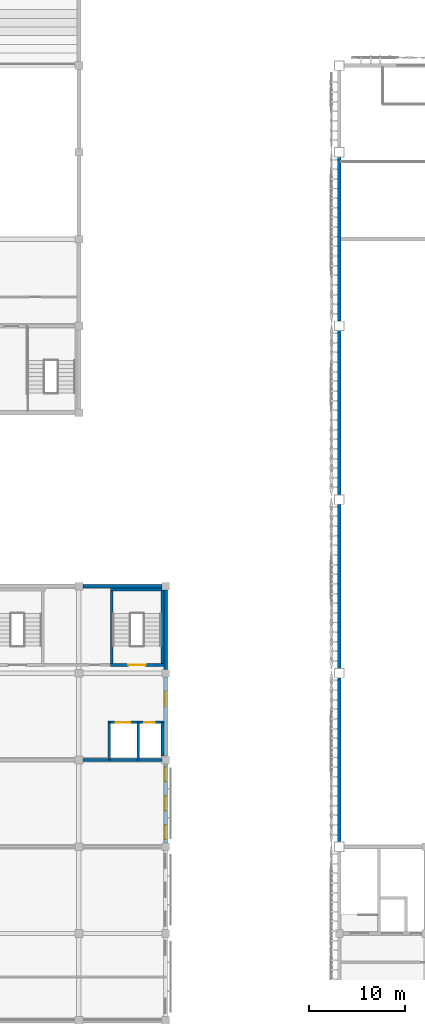
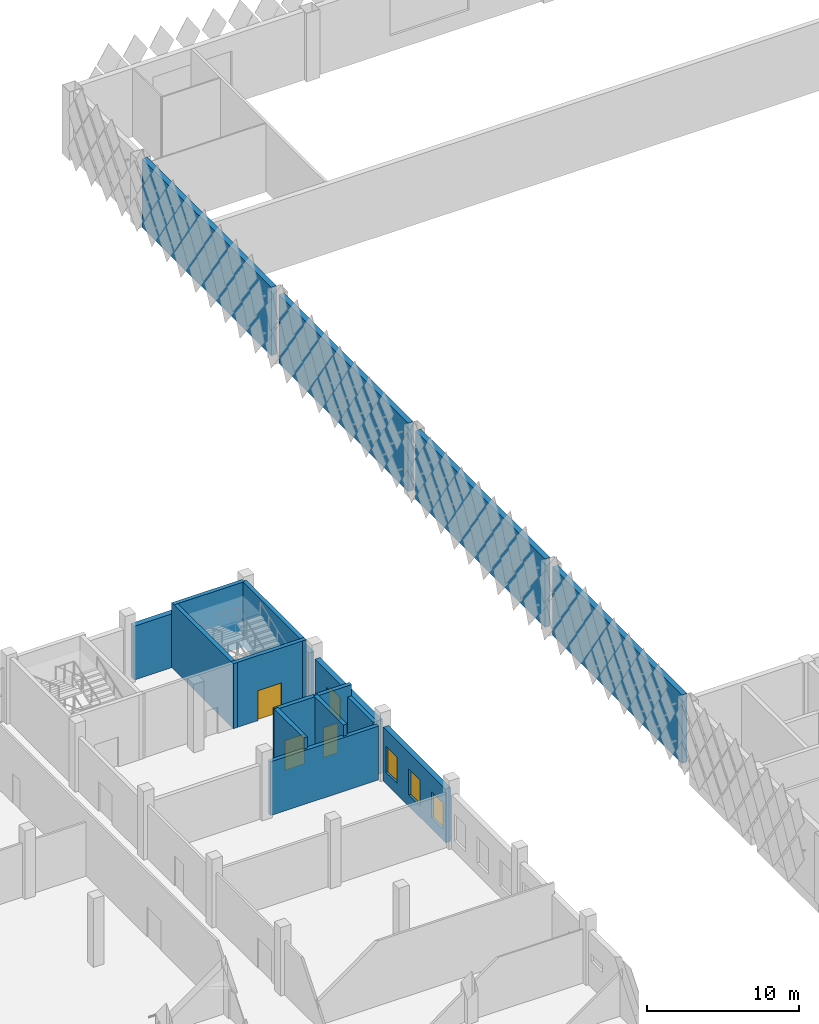
# One storey, part 112 of 185: 17 walls, 4 windows, 3 doors, 7 openings.
"""IFC4 building model written with IfcOpenShell, lengths in metres."""

from ifc_helpers import new_model, si_unit, direction, frame, frame_2d, origin, place, context, subcontext, project, spatial, rectangle, extrude, material, layer, layer_set, type_object, element, fill, save


model = new_model("IFC4")

# Units and contexts
model_context = context("Model", 3, precision=1e-05, world=origin(), true_north=direction((0.0, 1.0)))
body_context = subcontext(model_context, "Body", "Model", "MODEL_VIEW")
ifc_project = project(units=[si_unit("LENGTHUNIT", "METRE"), si_unit("AREAUNIT", "SQUARE_METRE"), si_unit("VOLUMEUNIT", "CUBIC_METRE"), si_unit("PLANEANGLEUNIT", "RADIAN"), si_unit("MASSUNIT", "GRAM", prefix="KILO")], contexts=[model_context])

# Site, building, storey
site_placement = place(None, origin())
site = spatial("IfcSite", under=ifc_project, at=site_placement, CompositionType="ELEMENT")
building_placement = place(site_placement, origin())
building = spatial("IfcBuilding", under=site, at=building_placement, Name="Opaline Strait Convention Centre", CompositionType="ELEMENT")
storey_placement = place(building_placement, frame((0.0, 0.0, 6.0)))
storey = spatial("IfcBuildingStorey", under=building, at=storey_placement, Name="L01", CompositionType="ELEMENT", Elevation=6.0)

# Walls
ifc_material_1 = material(Name="Concrete C40", Category="concrete")
ifc_layer_1 = layer(ifc_material_1, 0.25)
ifc_material_2 = material(Name="Mineral wool insulation")
ifc_layer_2 = layer(ifc_material_2, 0.10009765625)
ifc_material_3 = material(Name="Gypsum board lining")
ifc_layer_3 = layer(ifc_material_3, 0.050048828125)
ifc_layer_set_1 = layer_set([ifc_layer_1, ifc_layer_2, ifc_layer_3], Name="Concrete C40, Mineral wool insulation, Gypsum board lining")
wall_type_1 = type_object("IfcWallType", Name="External wall RC 400 insulated", PredefinedType="SOLIDWALL", material=ifc_layer_set_1)
for number, where, z_axis, x_axis, name in (
    (1, (99.0, 72.5, 0.0), (0.0, 0.0, 1.0), (0.0, 1.0, 0.0), "External wall W3"),
    (2, (99.0, 90.5, 0.0), (0.0, 0.0, 1.0), (0.0, 1.0, 0.0), "External wall W4"),
    (3, (99.0, 108.5, 0.0), (0.0, 0.0, 1.0), (0.0, 1.0, 0.0), "External wall W5"),
    (4, (99.0, 126.5, 0.0), (0.0, 0.0, 1.0), (0.0, 1.0, 0.0), "External wall W6"),
):
    element("IfcWall", number, at=place(storey_placement, frame(where, z_axis=z_axis, x_axis=x_axis)), inside=storey, type_object=wall_type_1, Name=name, PredefinedType="SOLIDWALL", context=body_context, shape_type="SweptSolid", body=[
        extrude(rectangle(XDim=17.0, YDim=0.39990234375, at=frame_2d((8.5, 0.0))), origin(), (0.0, 0.0, 1.0), 5.5),
    ])
ifc_layer_4 = layer(ifc_material_1, 0.300048828125)
ifc_layer_set_2 = layer_set([ifc_layer_4], Name="Concrete C40")
wall_type_2 = type_object("IfcWallType", Name="RC wall 300 C40", PredefinedType="SOLIDWALL", material=ifc_layer_set_2)
wall_1_placement = place(storey_placement, frame((80.60009765625, 98.64990234375, 0.0), z_axis=(0.0, 0.0, 1.0), x_axis=(-1.0, 0.0, 0.0)))
element("IfcWall", 5, at=wall_1_placement, inside=storey, type_object=wall_type_2, Name="NE core STA-S wall", PredefinedType="SOLIDWALL", context=body_context, shape_type="SweptSolid", body=[
    extrude(rectangle(XDim=5.35009765625, YDim=0.300048828125, at=frame_2d((2.675048828125, 0.0))), origin(), (0.0, 0.0, 1.0), 5.219970703125),
])

# Wall, opening, door
wall_2_placement = place(storey_placement, frame((80.800048828125, 90.85009765625, 0.0), z_axis=(0.0, 0.0, 1.0), x_axis=(-1.0, 0.0, 0.0)))
wall_2 = element("IfcWall", 6, at=wall_2_placement, inside=storey, type_object=wall_type_2, Name="NE core STA-N wall", PredefinedType="SOLIDWALL", context=body_context, shape_type="SweptSolid", body=[
    extrude(rectangle(XDim=5.550048828125, YDim=0.300048828125, at=frame_2d((2.77490234375, 0.0))), origin(), (0.0, 0.0, 1.0), 5.219970703125),
])
opening_1_placement = place(wall_2_placement, frame((1.875, 0.0, 0.0)))
opening_1 = element("IfcOpeningElement", 7, at=opening_1_placement, cuts=wall_2, Name="Opening R1-017", PredefinedType="OPENING", context=body_context, shape_type="SweptSolid", body=[
    extrude(rectangle(XDim=1.800048828125, YDim=2.39990234375, at=frame_2d((0.89990234375, 1.199951171875))), frame((0.0, 0.159912109375, 0.0), z_axis=(0.0, -1.0, 0.0), x_axis=(1.0, 0.0, 0.0)), (0.0, 0.0, 1.0), 0.320068359375),
])
ifc_material_4 = material(Name="Timber door leaves in steel frame", Category="steel")
door_type_1 = type_object("IfcDoorType", Name="Stair door 1800x2400 double FD60", OperationType="DOUBLE_DOOR_SINGLE_SWING", PredefinedType="DOOR", material=ifc_material_4)
door_1_placement = place(opening_1_placement, origin())
door_1 = element("IfcDoor", 8, at=door_1_placement, inside=storey, type_object=door_type_1, Name="Stair door NEA R1-017", ObjectType="RD7", OperationType="DOUBLE_DOOR_SINGLE_SWING", OverallHeight=2.39990234375, OverallWidth=1.800048828125, PredefinedType="DOOR", context=body_context, shape_type="SweptSolid", body=[
    extrude(rectangle(XDim=1.800048828125, YDim=2.39990234375, at=frame_2d((0.89990234375, 1.199951171875))), frame((0.0, 0.02490234375, 0.0), z_axis=(0.0, -1.0, 0.0), x_axis=(1.0, 0.0, 0.0)), (0.0, 0.0, 1.0), 0.050048828125),
])
fill(opening_1, door_1)

# Walls
wall_3_placement = place(storey_placement, frame((80.64990234375, 98.60009765625, 0.0), z_axis=(0.0, 0.0, 1.0), x_axis=(0.0, -1.0, 0.0)))
element("IfcWall", 9, at=wall_3_placement, inside=storey, type_object=wall_type_2, Name="NE core STA-W wall", PredefinedType="SOLIDWALL", context=body_context, shape_type="SweptSolid", body=[
    extrude(rectangle(XDim=7.900146484375, YDim=0.300048828125, at=frame_2d((3.9501953125, 0.0))), origin(), (0.0, 0.0, 1.0), 5.219970703125),
])
wall_4_placement = place(storey_placement, frame((75.39990234375, 98.800048828125, 0.0), z_axis=(0.0, 0.0, 1.0), x_axis=(0.0, -1.0, 0.0)))
element("IfcWall", 10, at=wall_4_placement, inside=storey, type_object=wall_type_2, Name="NE core STA-E wall", PredefinedType="SOLIDWALL", context=body_context, shape_type="SweptSolid", body=[
    extrude(rectangle(XDim=8.10009765625, YDim=0.300048828125, at=frame_2d((4.050048828125, 0.0))), origin(), (0.0, 0.0, 1.0), 5.219970703125),
])
wall_5_placement = place(storey_placement, frame((80.60009765625, 81.0, 0.0), z_axis=(0.0, 0.0, 1.0), x_axis=(-1.0, 0.0, 0.0)))
element("IfcWall", 11, at=wall_5_placement, inside=storey, type_object=wall_type_2, Name="NE core BND-N wall", PredefinedType="SOLIDWALL", context=body_context, shape_type="SweptSolid", body=[
    extrude(rectangle(XDim=8.2001953125, YDim=0.300048828125, at=frame_2d((4.10009765625, 0.0))), origin(), (0.0, 0.0, 1.0), 4.320068359375),
])

# Wall, openings, doors
wall_6_placement = place(storey_placement, frame((80.800048828125, 84.89990234375, 0.0), z_axis=(0.0, 0.0, 1.0), x_axis=(-1.0, 0.0, 0.0)))
wall_6 = element("IfcWall", 12, at=wall_6_placement, inside=storey, type_object=wall_type_2, Name="NE core LIFT-S wall", PredefinedType="SOLIDWALL", context=body_context, shape_type="SweptSolid", body=[
    extrude(rectangle(XDim=5.800048828125, YDim=0.300048828125, at=frame_2d((2.89990234375, 0.0))), origin(), (0.0, 0.0, 1.0), 5.219970703125),
])
opening_2_placement = place(wall_6_placement, frame((0.949951171875, 0.0, 0.0)))
opening_2 = element("IfcOpeningElement", 13, at=opening_2_placement, cuts=wall_6, Name="Opening R1-021", PredefinedType="OPENING", context=body_context, shape_type="SweptSolid", body=[
    extrude(rectangle(XDim=1.10009765625, YDim=2.39990234375, at=frame_2d((0.550048828125, 1.199951171875))), frame((0.0, 0.159912109375, 0.0), z_axis=(0.0, -1.0, 0.0), x_axis=(1.0, 0.0, 0.0)), (0.0, 0.0, 1.0), 0.320068359375),
])
opening_3_placement = place(wall_6_placement, frame((3.5, 0.0, 0.0)))
opening_3 = element("IfcOpeningElement", 14, at=opening_3_placement, cuts=wall_6, Name="Opening R1-022", PredefinedType="OPENING", context=body_context, shape_type="SweptSolid", body=[
    extrude(rectangle(XDim=1.5, YDim=2.39990234375, at=frame_2d((0.75, 1.199951171875))), frame((0.0, 0.159912109375, 0.0), z_axis=(0.0, -1.0, 0.0), x_axis=(1.0, 0.0, 0.0)), (0.0, 0.0, 1.0), 0.320068359375),
])
ifc_material_5 = material(Name="Stainless steel 304 door leaves", Category="steel")
door_type_2 = type_object("IfcDoorType", Name="Lift landing door 1100x2400 sliding FD60", OperationType="SLIDING_TO_LEFT", PredefinedType="DOOR", material=ifc_material_5)
door_2_placement = place(opening_2_placement, frame((1.10009765625, 0.0, 0.0), z_axis=(0.0, 0.0, 1.0), x_axis=(-1.0, 0.0, 0.0)))
door_2 = element("IfcDoor", 15, at=door_2_placement, inside=storey, type_object=door_type_2, Name="Lift landing door NEP R1-021", ObjectType="LD1", OperationType="SLIDING_TO_LEFT", OverallHeight=2.39990234375, OverallWidth=1.10009765625, PredefinedType="DOOR", context=body_context, shape_type="SweptSolid", body=[
    extrude(rectangle(XDim=1.10009765625, YDim=2.39990234375, at=frame_2d((0.550048828125, 1.199951171875))), frame((0.0, 0.02490234375, 0.0), z_axis=(0.0, -1.0, 0.0), x_axis=(1.0, 0.0, 0.0)), (0.0, 0.0, 1.0), 0.050048828125),
])
fill(opening_2, door_2)
door_type_3 = type_object("IfcDoorType", Name="Lift landing door 1500x2400 sliding FD60", OperationType="SLIDING_TO_LEFT", PredefinedType="DOOR", material=ifc_material_5)
door_3_placement = place(opening_3_placement, frame((1.5, 0.0, 0.0), z_axis=(0.0, 0.0, 1.0), x_axis=(-1.0, 0.0, 0.0)))
door_3 = element("IfcDoor", 16, at=door_3_placement, inside=storey, type_object=door_type_3, Name="Lift landing door NEG R1-022", ObjectType="LD2", OperationType="SLIDING_TO_LEFT", OverallHeight=2.39990234375, OverallWidth=1.5, PredefinedType="DOOR", context=body_context, shape_type="SweptSolid", body=[
    extrude(rectangle(XDim=1.5, YDim=2.39990234375, at=frame_2d((0.75, 1.199951171875))), frame((0.0, 0.02490234375, 0.0), z_axis=(0.0, -1.0, 0.0), x_axis=(1.0, 0.0, 0.0)), (0.0, 0.0, 1.0), 0.050048828125),
])
fill(opening_3, door_3)

# Walls
for number, where, z_axis, x_axis, name in (
    (17, (78.14990234375, 84.89990234375, 0.0), (0.0, 0.0, 1.0), (0.0, -1.0, 0.0), "NE core LIFT-M wall"),
    (18, (75.14990234375, 84.89990234375, 0.0), (0.0, 0.0, 1.0), (0.0, -1.0, 0.0), "NE core LIFT-GE wall"),
):
    element("IfcWall", number, at=place(storey_placement, frame(where, z_axis=z_axis, x_axis=x_axis)), inside=storey, type_object=wall_type_2, Name=name, PredefinedType="SOLIDWALL", context=body_context, shape_type="SweptSolid", body=[
        extrude(rectangle(XDim=3.89990234375, YDim=0.300048828125, at=frame_2d((1.949951171875, 0.0))), origin(), (0.0, 0.0, 1.0), 5.219970703125),
    ])
wall_7_placement = place(storey_placement, frame((80.64990234375, 84.89990234375, 0.0), z_axis=(0.0, 0.0, 1.0), x_axis=(0.0, -1.0, 0.0)))
element("IfcWall", 19, at=wall_7_placement, inside=storey, type_object=wall_type_2, Name="NE core LIFT-W wall", PredefinedType="SOLIDWALL", context=body_context, shape_type="SweptSolid", body=[
    extrude(rectangle(XDim=3.5, YDim=0.300048828125, at=frame_2d((1.75, 0.0))), origin(), (0.0, 0.0, 1.0), 4.320068359375),
])
ifc_layer_5 = layer(ifc_material_1, 0.320068359375)
ifc_layer_6 = layer(ifc_material_2, 0.050048828125)
ifc_layer_7 = layer(ifc_material_3, 0.030029296875)
ifc_layer_set_3 = layer_set([ifc_layer_5, ifc_layer_6, ifc_layer_7], Name="Concrete C40, Mineral wool insulation, Gypsum board lining")
wall_type_3 = type_object("IfcWallType", Name="RC wall 400 C40", PredefinedType="SOLIDWALL", material=ifc_layer_set_3)
wall_8_placement = place(storey_placement, frame((72.39990234375, 99.0, 0.0), z_axis=(0.0, 0.0, 1.0), x_axis=(1.0, 0.0, 0.0)))
element("IfcWall", 20, at=wall_8_placement, inside=storey, type_object=wall_type_3, Name="L01 N external wall 8", PredefinedType="SOLIDWALL", context=body_context, shape_type="SweptSolid", body=[
    extrude(rectangle(XDim=8.2001953125, YDim=0.39990234375, at=frame_2d((4.10009765625, 0.0))), origin(), (0.0, 0.0, 1.0), 4.320068359375),
])

# Wall, openings, windows
wall_9_placement = place(storey_placement, frame((81.0, 72.39990234375, 0.0), z_axis=(0.0, 0.0, 1.0), x_axis=(0.0, 1.0, 0.0)))
wall_9 = element("IfcWall", 21, at=wall_9_placement, inside=storey, type_object=wall_type_3, Name="L01 E external wall 8", PredefinedType="SOLIDWALL", context=body_context, shape_type="SweptSolid", body=[
    extrude(rectangle(XDim=8.2001953125, YDim=0.39990234375, at=frame_2d((4.10009765625, 0.0))), origin(), (0.0, 0.0, 1.0), 4.320068359375),
])
opening_4_placement = place(wall_9_placement, frame((0.35009765625, 0.0, 0.89990234375)))
opening_4 = element("IfcOpeningElement", 22, at=opening_4_placement, cuts=wall_9, Name="Opening RWN1", PredefinedType="OPENING", context=body_context, shape_type="SweptSolid", body=[
    extrude(rectangle(XDim=1.5, YDim=2.10009765625, at=frame_2d((0.75, 1.050048828125))), frame((0.0, 0.2099609375, 0.0), z_axis=(0.0, -1.0, 0.0), x_axis=(1.0, 0.0, 0.0)), (0.0, 0.0, 1.0), 0.419921875),
])
opening_5_placement = place(wall_9_placement, frame((3.35009765625, 0.0, 0.89990234375)))
opening_5 = element("IfcOpeningElement", 23, at=opening_5_placement, cuts=wall_9, Name="Opening RWN1", PredefinedType="OPENING", context=body_context, shape_type="SweptSolid", body=[
    extrude(rectangle(XDim=1.5, YDim=2.10009765625, at=frame_2d((0.75, 1.050048828125))), frame((0.0, 0.2099609375, 0.0), z_axis=(0.0, -1.0, 0.0), x_axis=(1.0, 0.0, 0.0)), (0.0, 0.0, 1.0), 0.419921875),
])
opening_6_placement = place(wall_9_placement, frame((6.35009765625, 0.0, 0.89990234375)))
opening_6 = element("IfcOpeningElement", 24, at=opening_6_placement, cuts=wall_9, Name="Opening RWN1", PredefinedType="OPENING", context=body_context, shape_type="SweptSolid", body=[
    extrude(rectangle(XDim=1.5, YDim=2.10009765625, at=frame_2d((0.75, 1.050048828125))), frame((0.0, 0.2099609375, 0.0), z_axis=(0.0, -1.0, 0.0), x_axis=(1.0, 0.0, 0.0)), (0.0, 0.0, 1.0), 0.419921875),
])
ifc_material_6 = material(Name="Aluminium framed double glazing", Category="aluminium")
window_type_1 = type_object("IfcWindowType", Name="Window 1500x2100 sill 900", PartitioningType="SINGLE_PANEL", PredefinedType="WINDOW", material=ifc_material_6)
window_1_placement = place(opening_4_placement, origin())
window_1 = element("IfcWindow", 25, at=window_1_placement, inside=storey, type_object=window_type_1, Name="Window L01-E8-W1", OverallHeight=2.10009765625, OverallWidth=1.5, PartitioningType="SINGLE_PANEL", PredefinedType="WINDOW", context=body_context, shape_type="SweptSolid", body=[
    extrude(rectangle(XDim=1.5, YDim=2.10009765625, at=frame_2d((0.75, 1.050048828125))), frame((0.0, 0.030029296875, 0.0), z_axis=(0.0, -1.0, 0.0), x_axis=(1.0, 0.0, 0.0)), (0.0, 0.0, 1.0), 0.06005859375),
])
fill(opening_4, window_1)
window_2_placement = place(opening_5_placement, origin())
window_2 = element("IfcWindow", 26, at=window_2_placement, inside=storey, type_object=window_type_1, Name="Window L01-E8-W2", OverallHeight=2.10009765625, OverallWidth=1.5, PartitioningType="SINGLE_PANEL", PredefinedType="WINDOW", context=body_context, shape_type="SweptSolid", body=[
    extrude(rectangle(XDim=1.5, YDim=2.10009765625, at=frame_2d((0.75, 1.050048828125))), frame((0.0, 0.030029296875, 0.0), z_axis=(0.0, -1.0, 0.0), x_axis=(1.0, 0.0, 0.0)), (0.0, 0.0, 1.0), 0.06005859375),
])
fill(opening_5, window_2)
window_3_placement = place(opening_6_placement, origin())
window_3 = element("IfcWindow", 27, at=window_3_placement, inside=storey, type_object=window_type_1, Name="Window L01-E8-W3", OverallHeight=2.10009765625, OverallWidth=1.5, PartitioningType="SINGLE_PANEL", PredefinedType="WINDOW", context=body_context, shape_type="SweptSolid", body=[
    extrude(rectangle(XDim=1.5, YDim=2.10009765625, at=frame_2d((0.75, 1.050048828125))), frame((0.0, 0.030029296875, 0.0), z_axis=(0.0, -1.0, 0.0), x_axis=(1.0, 0.0, 0.0)), (0.0, 0.0, 1.0), 0.06005859375),
])
fill(opening_6, window_3)

# Wall, opening, window
wall_10_placement = place(storey_placement, frame((81.0, 81.39990234375, 0.0), z_axis=(0.0, 0.0, 1.0), x_axis=(0.0, 1.0, 0.0)))
wall_10 = element("IfcWall", 28, at=wall_10_placement, inside=storey, type_object=wall_type_3, Name="L01 E external wall 9", PredefinedType="SOLIDWALL", context=body_context, shape_type="SweptSolid", body=[
    extrude(rectangle(XDim=8.2001953125, YDim=0.39990234375, at=frame_2d((4.10009765625, 0.0))), origin(), (0.0, 0.0, 1.0), 4.320068359375),
])
opening_7_placement = place(wall_10_placement, frame((5.14990234375, 0.0, 1.199951171875)))
opening_7 = element("IfcOpeningElement", 29, at=opening_7_placement, cuts=wall_10, Name="Opening RWN4", PredefinedType="OPENING", context=body_context, shape_type="SweptSolid", body=[
    extrude(rectangle(XDim=1.5, YDim=1.800048828125, at=frame_2d((0.75, 0.89990234375))), frame((0.0, 0.2099609375, 0.0), z_axis=(0.0, -1.0, 0.0), x_axis=(1.0, 0.0, 0.0)), (0.0, 0.0, 1.0), 0.419921875),
])
window_type_2 = type_object("IfcWindowType", Name="Window 1500x1800 sill 1200", PartitioningType="SINGLE_PANEL", PredefinedType="WINDOW", material=ifc_material_6)
window_4_placement = place(opening_7_placement, origin())
window_4 = element("IfcWindow", 30, at=window_4_placement, inside=storey, type_object=window_type_2, Name="Window L01-E9-W1", OverallHeight=1.800048828125, OverallWidth=1.5, PartitioningType="SINGLE_PANEL", PredefinedType="WINDOW", context=body_context, shape_type="SweptSolid", body=[
    extrude(rectangle(XDim=1.5, YDim=1.800048828125, at=frame_2d((0.75, 0.89990234375))), frame((0.0, 0.030029296875, 0.0), z_axis=(0.0, -1.0, 0.0), x_axis=(1.0, 0.0, 0.0)), (0.0, 0.0, 1.0), 0.06005859375),
])
fill(opening_7, window_4)

# Wall
wall_11_placement = place(storey_placement, frame((81.0, 90.39990234375, 0.0), z_axis=(0.0, 0.0, 1.0), x_axis=(0.0, 1.0, 0.0)))
element("IfcWall", 31, at=wall_11_placement, inside=storey, type_object=wall_type_3, Name="L01 E external wall 10", PredefinedType="SOLIDWALL", context=body_context, shape_type="SweptSolid", body=[
    extrude(rectangle(XDim=8.2001953125, YDim=0.39990234375, at=frame_2d((4.10009765625, 0.0))), origin(), (0.0, 0.0, 1.0), 4.320068359375),
])

save(model, "model.ifc")
